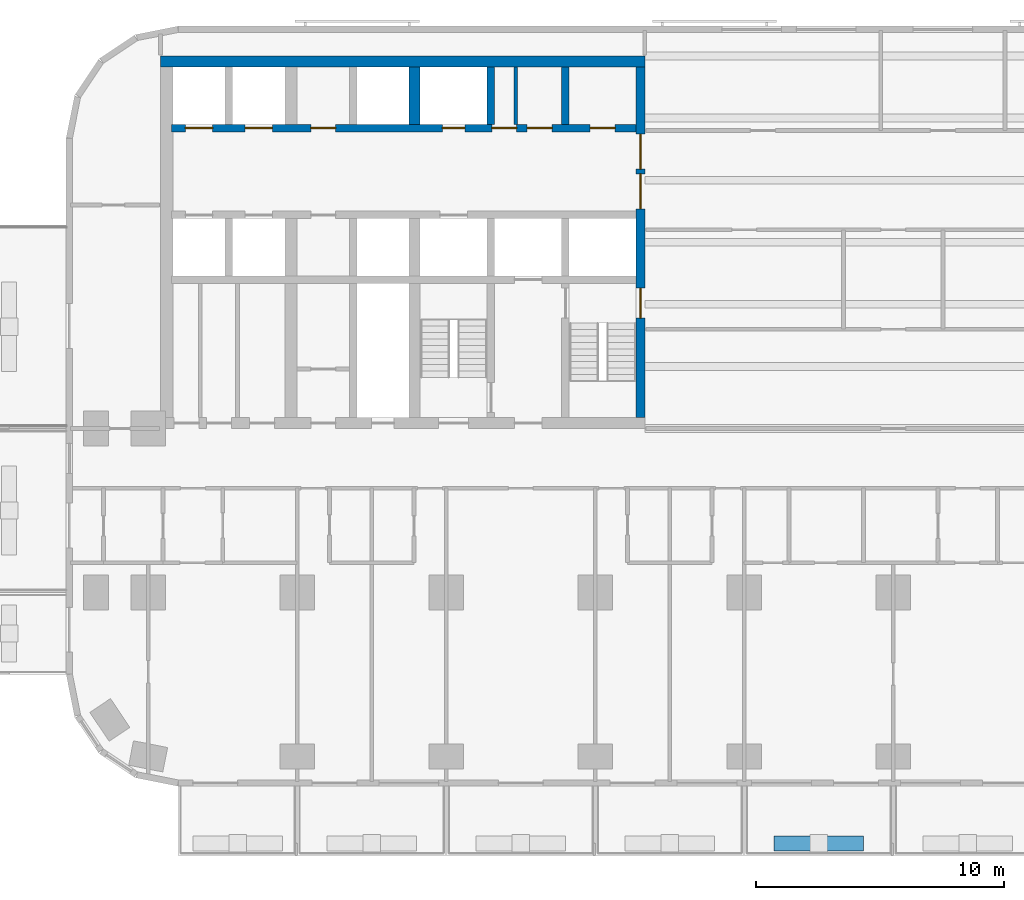
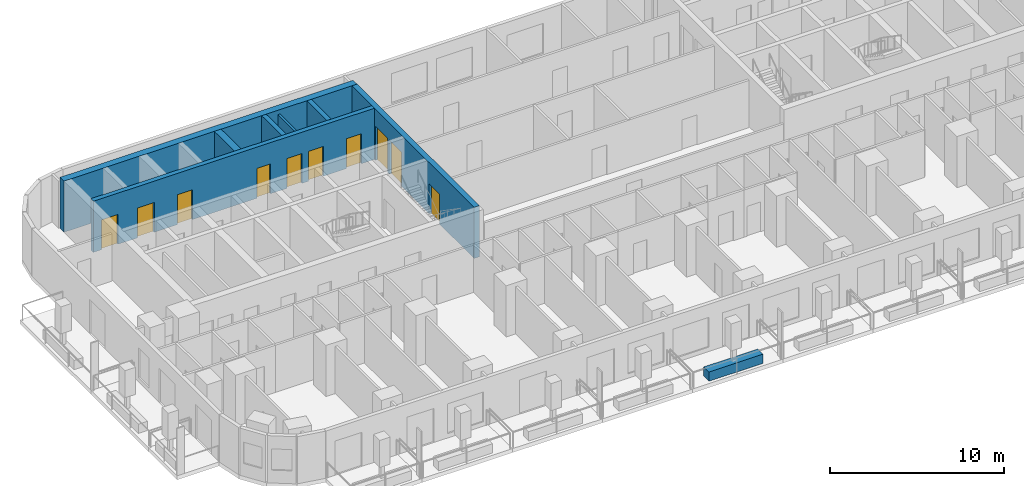
# One storey, part 4 of 15: 10 doors, 8 walls, 10 openings.
"""IFC4 building model written with IfcOpenShell, lengths in metres."""

from ifc_helpers import new_model, si_unit, direction, frame, frame_2d, origin, place, context, subcontext, project, spatial, rectangle, extrude, material, layer, layer_set, type_object, element, fill, save


model = new_model("IFC4")

# Units and contexts
model_context = context("Model", 3, precision=1e-05, world=origin(), true_north=direction((0.0, 1.0)))
body_context = subcontext(model_context, "Body", "Model", "MODEL_VIEW")
ifc_project = project(units=[si_unit("LENGTHUNIT", "METRE"), si_unit("AREAUNIT", "SQUARE_METRE"), si_unit("VOLUMEUNIT", "CUBIC_METRE"), si_unit("PLANEANGLEUNIT", "RADIAN"), si_unit("MASSUNIT", "GRAM", prefix="KILO")], contexts=[model_context])

# Site, building, storey
site_placement = place(None, origin())
site = spatial("IfcSite", under=ifc_project, at=site_placement, CompositionType="ELEMENT")
building_placement = place(site_placement, origin())
building = spatial("IfcBuilding", under=site, at=building_placement, Name="Torana Hotel and Residences", CompositionType="ELEMENT")
storey_placement = place(building_placement, frame((0.0, 0.0, 45.60009765625)))
storey = spatial("IfcBuildingStorey", under=building, at=storey_placement, Name="L10", CompositionType="ELEMENT", Elevation=45.60009765625)

# Wall, openings, doors
ifc_material_1 = material(Name="Concrete C80/95", Category="concrete")
ifc_layer_1 = layer(ifc_material_1, 0.300048828125)
ifc_layer_set_1 = layer_set([ifc_layer_1], Name="CORE WALL 300 C80/95")
wall_type_1 = type_object("IfcWallType", Name="CORE WALL 300 C80/95", PredefinedType="SHEAR", material=ifc_layer_set_1)
wall_1_placement = place(storey_placement, frame((-29.050048828125, -2.89990234375, 0.0), z_axis=(0.0, 0.0, 1.0), x_axis=(1.0, 0.0, 0.0)))
wall_1 = element("IfcWall", 1, at=wall_1_placement, inside=storey, type_object=wall_type_1, Name="Core wall W row-N", PredefinedType="SHEAR", context=body_context, shape_type="SweptSolid", body=[
    extrude(rectangle(XDim=18.699951171875, YDim=0.300048828125, at=frame_2d((9.35009765625, 0.0))), origin(), (0.0, 0.0, 1.0), 3.599853515625),
])
opening_1_placement = place(wall_1_placement, frame((2.949951171875, 0.0, 0.0)))
opening_1 = element("IfcOpeningElement", 2, at=opening_1_placement, cuts=wall_1, Name="Opening LD", PredefinedType="OPENING", context=body_context, shape_type="SweptSolid", body=[
    extrude(rectangle(XDim=1.10009765625, YDim=2.10009765625, at=frame_2d((0.550048828125, 1.050048828125))), frame((0.0, 0.159912109375, 0.0), z_axis=(0.0, -1.0, 0.0), x_axis=(1.0, 0.0, 0.0)), (0.0, 0.0, 1.0), 0.320068359375),
])
opening_2_placement = place(wall_1_placement, frame((0.550048828125, 0.0, 0.0)))
opening_2 = element("IfcOpeningElement", 3, at=opening_2_placement, cuts=wall_1, Name="Opening LD", PredefinedType="OPENING", context=body_context, shape_type="SweptSolid", body=[
    extrude(rectangle(XDim=1.10009765625, YDim=2.10009765625, at=frame_2d((0.550048828125, 1.050048828125))), frame((0.0, 0.159912109375, 0.0), z_axis=(0.0, -1.0, 0.0), x_axis=(1.0, 0.0, 0.0)), (0.0, 0.0, 1.0), 0.320068359375),
])
opening_3_placement = place(wall_1_placement, frame((10.89990234375, 0.0, 0.0)))
opening_3 = element("IfcOpeningElement", 4, at=opening_3_placement, cuts=wall_1, Name="Opening L10-11", PredefinedType="OPENING", context=body_context, shape_type="SweptSolid", body=[
    extrude(rectangle(XDim=0.89990234375, YDim=2.10009765625, at=frame_2d((0.449951171875, 1.050048828125))), frame((0.0, 0.159912109375, 0.0), z_axis=(0.0, -1.0, 0.0), x_axis=(1.0, 0.0, 0.0)), (0.0, 0.0, 1.0), 0.320068359375),
])
opening_4_placement = place(wall_1_placement, frame((16.85009765625, 0.0, 0.0)))
opening_4 = element("IfcOpeningElement", 5, at=opening_4_placement, cuts=wall_1, Name="Opening L10-12", PredefinedType="OPENING", context=body_context, shape_type="SweptSolid", body=[
    extrude(rectangle(XDim=1.0, YDim=2.10009765625, at=frame_2d((0.5, 1.050048828125))), frame((0.0, 0.159912109375, 0.0), z_axis=(0.0, -1.0, 0.0), x_axis=(1.0, 0.0, 0.0)), (0.0, 0.0, 1.0), 0.320068359375),
])
opening_5_placement = place(wall_1_placement, frame((14.3125, 0.0, 0.0)))
opening_5 = element("IfcOpeningElement", 6, at=opening_5_placement, cuts=wall_1, Name="Opening L10-13", PredefinedType="OPENING", context=body_context, shape_type="SweptSolid", body=[
    extrude(rectangle(XDim=1.0, YDim=2.10009765625, at=frame_2d((0.5, 1.050048828125))), frame((0.0, 0.159912109375, 0.0), z_axis=(0.0, -1.0, 0.0), x_axis=(1.0, 0.0, 0.0)), (0.0, 0.0, 1.0), 0.320068359375),
])
opening_6_placement = place(wall_1_placement, frame((12.887451171875, 0.0, 0.0)))
opening_6 = element("IfcOpeningElement", 7, at=opening_6_placement, cuts=wall_1, Name="Opening L10-14", PredefinedType="OPENING", context=body_context, shape_type="SweptSolid", body=[
    extrude(rectangle(XDim=1.0, YDim=2.10009765625, at=frame_2d((0.5, 1.050048828125))), frame((0.0, 0.159912109375, 0.0), z_axis=(0.0, -1.0, 0.0), x_axis=(1.0, 0.0, 0.0)), (0.0, 0.0, 1.0), 0.320068359375),
])
opening_7_placement = place(wall_1_placement, frame((5.60009765625, 0.0, 0.0)))
opening_7 = element("IfcOpeningElement", 8, at=opening_7_placement, cuts=wall_1, Name="Opening L10-15", PredefinedType="OPENING", context=body_context, shape_type="SweptSolid", body=[
    extrude(rectangle(XDim=1.0, YDim=2.10009765625, at=frame_2d((0.5, 1.050048828125))), frame((0.0, 0.159912109375, 0.0), z_axis=(0.0, -1.0, 0.0), x_axis=(1.0, 0.0, 0.0)), (0.0, 0.0, 1.0), 0.320068359375),
])
ifc_material_2 = material(Name="Steel S235", Category="steel")
door_type_1 = type_object("IfcDoorType", Name="CORE ROOM FIRE DOOR D14 1000x2100", OperationType="SINGLE_SWING_LEFT", PredefinedType="DOOR", material=ifc_material_2)
door_1_placement = place(opening_4_placement, origin())
door_1 = element("IfcDoor", 9, at=door_1_placement, inside=storey, type_object=door_type_1, Name="N0 door L10", OperationType="SINGLE_SWING_RIGHT", OverallHeight=2.10009765625, OverallWidth=1.0, PredefinedType="DOOR", context=body_context, shape_type="SweptSolid", body=[
    extrude(rectangle(XDim=1.0, YDim=2.10009765625, at=frame_2d((0.5, 1.050048828125))), frame((0.0, 0.02490234375, 0.0), z_axis=(0.0, -1.0, 0.0), x_axis=(1.0, 0.0, 0.0)), (0.0, 0.0, 1.0), 0.050048828125),
])
fill(opening_4, door_1)
door_2_placement = place(opening_5_placement, origin())
door_2 = element("IfcDoor", 10, at=door_2_placement, inside=storey, type_object=door_type_1, Name="N1A door L10", OperationType="SINGLE_SWING_RIGHT", OverallHeight=2.10009765625, OverallWidth=1.0, PredefinedType="DOOR", context=body_context, shape_type="SweptSolid", body=[
    extrude(rectangle(XDim=1.0, YDim=2.10009765625, at=frame_2d((0.5, 1.050048828125))), frame((0.0, 0.02490234375, 0.0), z_axis=(0.0, -1.0, 0.0), x_axis=(1.0, 0.0, 0.0)), (0.0, 0.0, 1.0), 0.050048828125),
])
fill(opening_5, door_2)
door_3_placement = place(opening_6_placement, origin())
door_3 = element("IfcDoor", 11, at=door_3_placement, inside=storey, type_object=door_type_1, Name="N1B door L10", OperationType="SINGLE_SWING_RIGHT", OverallHeight=2.10009765625, OverallWidth=1.0, PredefinedType="DOOR", context=body_context, shape_type="SweptSolid", body=[
    extrude(rectangle(XDim=1.0, YDim=2.10009765625, at=frame_2d((0.5, 1.050048828125))), frame((0.0, 0.02490234375, 0.0), z_axis=(0.0, -1.0, 0.0), x_axis=(1.0, 0.0, 0.0)), (0.0, 0.0, 1.0), 0.050048828125),
])
fill(opening_6, door_3)
door_4_placement = place(opening_7_placement, origin())
door_4 = element("IfcDoor", 12, at=door_4_placement, inside=storey, type_object=door_type_1, Name="Free-M1 door L10", OperationType="SINGLE_SWING_RIGHT", OverallHeight=2.10009765625, OverallWidth=1.0, PredefinedType="DOOR", context=body_context, shape_type="SweptSolid", body=[
    extrude(rectangle(XDim=1.0, YDim=2.10009765625, at=frame_2d((0.5, 1.050048828125))), frame((0.0, 0.02490234375, 0.0), z_axis=(0.0, -1.0, 0.0), x_axis=(1.0, 0.0, 0.0)), (0.0, 0.0, 1.0), 0.050048828125),
])
fill(opening_7, door_4)
ifc_material_3 = material(Name="Stainless steel 316", Category="steel")
door_type_2 = type_object("IfcDoorType", Name="LIFT LANDING DOOR LD 1100x2100", OperationType="DOUBLE_DOOR_SLIDING", PredefinedType="USERDEFINED", material=ifc_material_3)
door_5_placement = place(opening_1_placement, origin())
door_5 = element("IfcDoor", 13, at=door_5_placement, inside=storey, type_object=door_type_2, Name="Lift landing door L1 L10", ObjectType="LIFT LANDING DOOR", OperationType="DOUBLE_DOOR_SLIDING", OverallHeight=2.10009765625, OverallWidth=1.10009765625, PredefinedType="USERDEFINED", context=body_context, shape_type="SweptSolid", body=[
    extrude(rectangle(XDim=1.10009765625, YDim=2.10009765625, at=frame_2d((0.550048828125, 1.050048828125))), frame((0.0, 0.02490234375, 0.0), z_axis=(0.0, -1.0, 0.0), x_axis=(1.0, 0.0, 0.0)), (0.0, 0.0, 1.0), 0.050048828125),
])
fill(opening_1, door_5)
door_6_placement = place(opening_2_placement, origin())
door_6 = element("IfcDoor", 14, at=door_6_placement, inside=storey, type_object=door_type_2, Name="Lift landing door L2 L10", ObjectType="LIFT LANDING DOOR", OperationType="DOUBLE_DOOR_SLIDING", OverallHeight=2.10009765625, OverallWidth=1.10009765625, PredefinedType="USERDEFINED", context=body_context, shape_type="SweptSolid", body=[
    extrude(rectangle(XDim=1.10009765625, YDim=2.10009765625, at=frame_2d((0.550048828125, 1.050048828125))), frame((0.0, 0.02490234375, 0.0), z_axis=(0.0, -1.0, 0.0), x_axis=(1.0, 0.0, 0.0)), (0.0, 0.0, 1.0), 0.050048828125),
])
fill(opening_2, door_6)
ifc_material_4 = material(Name="Steel S235", Category="steel")
door_type_3 = type_object("IfcDoorType", Name="RISER ACCESS DOOR D5 900x2100", OperationType="SINGLE_SWING_LEFT", PredefinedType="DOOR", material=ifc_material_4)
door_7_placement = place(opening_3_placement, origin())
door_7 = element("IfcDoor", 15, at=door_7_placement, inside=storey, type_object=door_type_3, Name="N2 door L10", OperationType="SINGLE_SWING_RIGHT", OverallHeight=2.10009765625, OverallWidth=0.89990234375, PredefinedType="DOOR", context=body_context, shape_type="SweptSolid", body=[
    extrude(rectangle(XDim=0.89990234375, YDim=2.10009765625, at=frame_2d((0.449951171875, 1.050048828125))), frame((0.0, 0.02490234375, 0.0), z_axis=(0.0, -1.0, 0.0), x_axis=(1.0, 0.0, 0.0)), (0.0, 0.0, 1.0), 0.050048828125),
])
fill(opening_3, door_7)

# Walls
for number, where, z_axis, x_axis, name in (
    (16, (-13.199951171875, -2.75, 0.0), (0.0, 0.0, 1.0), (0.0, 1.0, 0.0), "Core wall W x3.05-N"),
    (17, (-16.199951171875, -2.75, 0.0), (0.0, 0.0, 1.0), (0.0, 1.0, 0.0), "Core wall W x6.05-N"),
):
    element("IfcWall", number, at=place(storey_placement, frame(where, z_axis=z_axis, x_axis=x_axis)), inside=storey, type_object=wall_type_1, Name=name, PredefinedType="SHEAR", context=body_context, shape_type="SweptSolid", body=[
        extrude(rectangle(XDim=2.300048828125, YDim=0.300048828125, at=frame_2d((1.14990234375, 0.0))), origin(), (0.0, 0.0, 1.0), 3.599853515625),
    ])

# Wall, openings, doors
ifc_material_5 = material(Name="Concrete C80/95", Category="concrete")
ifc_layer_2 = layer(ifc_material_5, 0.35009765625)
ifc_layer_set_2 = layer_set([ifc_layer_2], Name="CORE WALL 350 C80/95")
wall_type_2 = type_object("IfcWallType", Name="CORE WALL 350 C80/95", PredefinedType="SHEAR", material=ifc_layer_set_2)
wall_2_placement = place(storey_placement, frame((-10.175048828125, -14.550048828125, 0.0), z_axis=(0.0, 0.0, 1.0), x_axis=(0.0, 1.0, 0.0)))
wall_2 = element("IfcWall", 18, at=wall_2_placement, inside=storey, type_object=wall_type_2, Name="Core wall W arch", PredefinedType="SHEAR", context=body_context, shape_type="SweptSolid", body=[
    extrude(rectangle(XDim=14.10009765625, YDim=0.35009765625, at=frame_2d((7.050048828125, 0.0))), origin(), (0.0, 0.0, 1.0), 3.599853515625),
])
opening_8_placement = place(wall_2_placement, frame((8.39990234375, 0.0, 0.0)))
opening_8 = element("IfcOpeningElement", 19, at=opening_8_placement, cuts=wall_2, Name="Opening L10-01", PredefinedType="OPENING", context=body_context, shape_type="SweptSolid", body=[
    extrude(rectangle(XDim=1.39990234375, YDim=2.39990234375, at=frame_2d((0.699951171875, 1.199951171875))), frame((0.0, 0.18505859375, 0.0), z_axis=(0.0, -1.0, 0.0), x_axis=(1.0, 0.0, 0.0)), (0.0, 0.0, 1.0), 0.3701171875),
])
opening_9_placement = place(wall_2_placement, frame((10.0, 0.0, 0.0)))
opening_9 = element("IfcOpeningElement", 20, at=opening_9_placement, cuts=wall_2, Name="Opening L10-02", PredefinedType="OPENING", context=body_context, shape_type="SweptSolid", body=[
    extrude(rectangle(XDim=1.39990234375, YDim=2.39990234375, at=frame_2d((0.699951171875, 1.199951171875))), frame((0.0, 0.18505859375, 0.0), z_axis=(0.0, -1.0, 0.0), x_axis=(1.0, 0.0, 0.0)), (0.0, 0.0, 1.0), 0.3701171875),
])
opening_10_placement = place(wall_2_placement, frame((4.0, 0.0, 0.0)))
opening_10 = element("IfcOpeningElement", 21, at=opening_10_placement, cuts=wall_2, Name="Opening L10-03", PredefinedType="OPENING", context=body_context, shape_type="SweptSolid", body=[
    extrude(rectangle(XDim=1.199951171875, YDim=2.10009765625, at=frame_2d((0.60009765625, 1.050048828125))), frame((0.0, 0.18505859375, 0.0), z_axis=(0.0, -1.0, 0.0), x_axis=(1.0, 0.0, 0.0)), (0.0, 0.0, 1.0), 0.3701171875),
])
ifc_material_6 = material(Name="Steel S235", Category="steel")
door_type_4 = type_object("IfcDoorType", Name="LOBBY FIRE DOOR D4 1400x2400", OperationType="DOUBLE_DOOR_SINGLE_SWING", PredefinedType="DOOR", material=ifc_material_6)
door_8_placement = place(opening_8_placement, origin())
door_8 = element("IfcDoor", 22, at=door_8_placement, inside=storey, type_object=door_type_4, Name="Lobby-1 door L10", OperationType="DOUBLE_DOOR_SINGLE_SWING", OverallHeight=2.39990234375, OverallWidth=1.39990234375, PredefinedType="DOOR", context=body_context, shape_type="SweptSolid", body=[
    extrude(rectangle(XDim=1.39990234375, YDim=2.39990234375, at=frame_2d((0.699951171875, 1.199951171875))), frame((0.0, 0.02490234375, 0.0), z_axis=(0.0, -1.0, 0.0), x_axis=(1.0, 0.0, 0.0)), (0.0, 0.0, 1.0), 0.050048828125),
])
fill(opening_8, door_8)
door_9_placement = place(opening_9_placement, origin())
door_9 = element("IfcDoor", 23, at=door_9_placement, inside=storey, type_object=door_type_4, Name="Lobby-2 door L10", OperationType="DOUBLE_DOOR_SINGLE_SWING", OverallHeight=2.39990234375, OverallWidth=1.39990234375, PredefinedType="DOOR", context=body_context, shape_type="SweptSolid", body=[
    extrude(rectangle(XDim=1.39990234375, YDim=2.39990234375, at=frame_2d((0.699951171875, 1.199951171875))), frame((0.0, 0.02490234375, 0.0), z_axis=(0.0, -1.0, 0.0), x_axis=(1.0, 0.0, 0.0)), (0.0, 0.0, 1.0), 0.050048828125),
])
fill(opening_9, door_9)
ifc_material_7 = material(Name="Steel S235", Category="steel")
door_type_5 = type_object("IfcDoorType", Name="STAIR FIRE DOOR D3 1200x2100", OperationType="SINGLE_SWING_LEFT", PredefinedType="DOOR", material=ifc_material_7)
door_10_placement = place(opening_10_placement, origin())
door_10 = element("IfcDoor", 24, at=door_10_placement, inside=storey, type_object=door_type_5, Name="Stair-A door L10", OperationType="SINGLE_SWING_LEFT", OverallHeight=2.10009765625, OverallWidth=1.199951171875, PredefinedType="DOOR", context=body_context, shape_type="SweptSolid", body=[
    extrude(rectangle(XDim=1.199951171875, YDim=2.10009765625, at=frame_2d((0.60009765625, 1.050048828125))), frame((0.0, 0.02490234375, 0.0), z_axis=(0.0, -1.0, 0.0), x_axis=(1.0, 0.0, 0.0)), (0.0, 0.0, 1.0), 0.050048828125),
])
fill(opening_10, door_10)

# Walls
ifc_material_8 = material(Name="Concrete C80/95", Category="concrete")
ifc_layer_3 = layer(ifc_material_8, 0.449951171875)
ifc_layer_set_3 = layer_set([ifc_layer_3], Name="CORE WALL 450 C80/95")
wall_type_3 = type_object("IfcWallType", Name="CORE WALL 450 C80/95", PredefinedType="SHEAR", material=ifc_layer_set_3)
wall_3_placement = place(storey_placement, frame((-29.5, -0.22509765625, 0.0), z_axis=(0.0, 0.0, 1.0), x_axis=(1.0, 0.0, 0.0)))
element("IfcWall", 25, at=wall_3_placement, inside=storey, type_object=wall_type_3, Name="Core wall W rear", PredefinedType="SHEAR", context=body_context, shape_type="SweptSolid", body=[
    extrude(rectangle(XDim=19.5, YDim=0.449951171875, at=frame_2d((9.75, 0.0))), origin(), (0.0, 0.0, 1.0), 3.599853515625),
])
wall_4_placement = place(storey_placement, frame((-19.27490234375, -2.75, 0.0), z_axis=(0.0, 0.0, 1.0), x_axis=(0.0, 1.0, 0.0)))
element("IfcWall", 26, at=wall_4_placement, inside=storey, type_object=wall_type_3, Name="Core wall W hm-N", PredefinedType="SHEAR", context=body_context, shape_type="SweptSolid", body=[
    extrude(rectangle(XDim=2.300048828125, YDim=0.449951171875, at=frame_2d((1.14990234375, 0.0))), origin(), (0.0, 0.0, 1.0), 3.599853515625),
])
ifc_material_9 = material(Name="Gypsum plaster")
ifc_layer_4 = layer(ifc_material_9, 0.014892578125, Name="Plaster", Category="finish")
ifc_material_10 = material(Name="Concrete blockwork", Category="masonry")
ifc_layer_5 = layer(ifc_material_10, 0.1201171875, Name="Blockwork", Category="structure")
ifc_layer_6 = layer(ifc_material_9, 0.014892578125, Name="Plaster", Category="finish")
ifc_layer_set_4 = layer_set([ifc_layer_4, ifc_layer_5, ifc_layer_6], Name="FIRE PARTITION 150 BLOCKWORK")
wall_type_4 = type_object("IfcWallType", Name="FIRE PARTITION 150 BLOCKWORK", PredefinedType="PARTITIONING", material=ifc_layer_set_4)
wall_5_placement = place(storey_placement, frame((-15.199951171875, -2.75, 0.0), z_axis=(0.0, 0.0, 1.0), x_axis=(0.0, 1.0, 0.0)))
element("IfcWall", 27, at=wall_5_placement, inside=storey, type_object=wall_type_4, Name="Core partition L10", PredefinedType="PARTITIONING", context=body_context, shape_type="SweptSolid", body=[
    extrude(rectangle(XDim=2.300048828125, YDim=0.14990234375, at=frame_2d((1.14990234375, 0.0))), origin(), (0.0, 0.0, 1.0), 3.2998046875),
])
ifc_material_11 = material(Name="Concrete C40/50 precast", Category="concrete")
ifc_layer_7 = layer(ifc_material_11, 0.10009765625, Name="Planter shell", Category="structure")
ifc_material_12 = material(Name="Root resistant membrane")
ifc_layer_8 = layer(ifc_material_12, 0.00390625, Name="Waterproofing membrane", Category="membrane")
ifc_material_13 = material(Name="Drainage board with filter fleece")
ifc_layer_9 = layer(ifc_material_13, 0.02001953125, Name="Drainage board", Category="drainage")
ifc_material_14 = material(Name="Growing medium")
ifc_layer_10 = layer(ifc_material_14, 0.47607421875, Name="Planting substrate", Category="soil")
ifc_layer_set_5 = layer_set([ifc_layer_7, ifc_layer_8, ifc_layer_9, ifc_layer_10], Name="PL1 BALCONY PLANTER 600")
wall_type_5 = type_object("IfcWallType", Name="PL1 BALCONY PLANTER 600", PredefinedType="USERDEFINED", material=ifc_layer_set_5)
wall_6_placement = place(storey_placement, frame((-1.199951171875, -31.699951171875, 0.0), z_axis=(0.0, 0.0, 1.0), x_axis=(-1.0, 0.0, 0.0)))
element("IfcWall", 28, at=wall_6_placement, inside=storey, type_object=wall_type_5, Name="Planter 05", ObjectType="PLANTER", PredefinedType="USERDEFINED", context=body_context, shape_type="SweptSolid", body=[
    extrude(rectangle(XDim=3.60009765625, YDim=0.60009765625, at=frame_2d((1.800048828125, 0.0))), origin(), (0.0, 0.0, 1.0), 0.64990234375),
])

save(model, "model.ifc")
